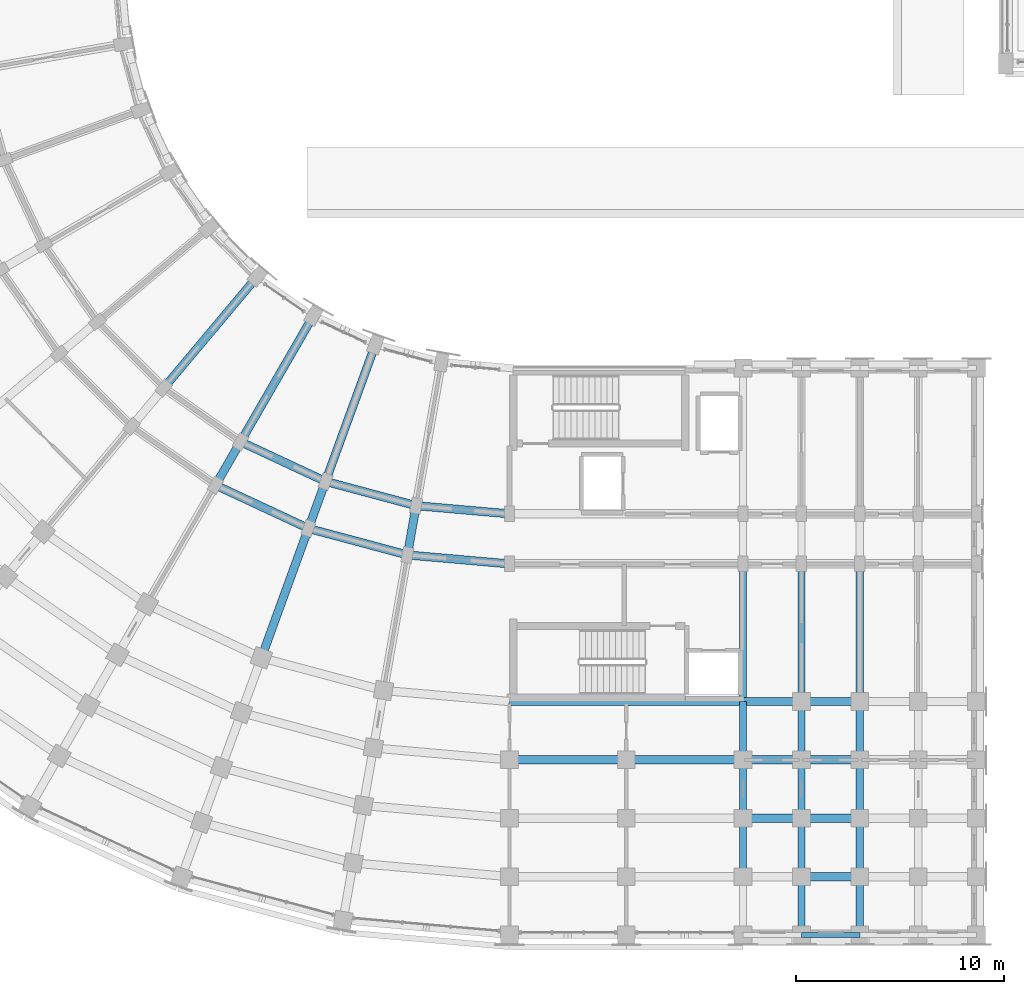
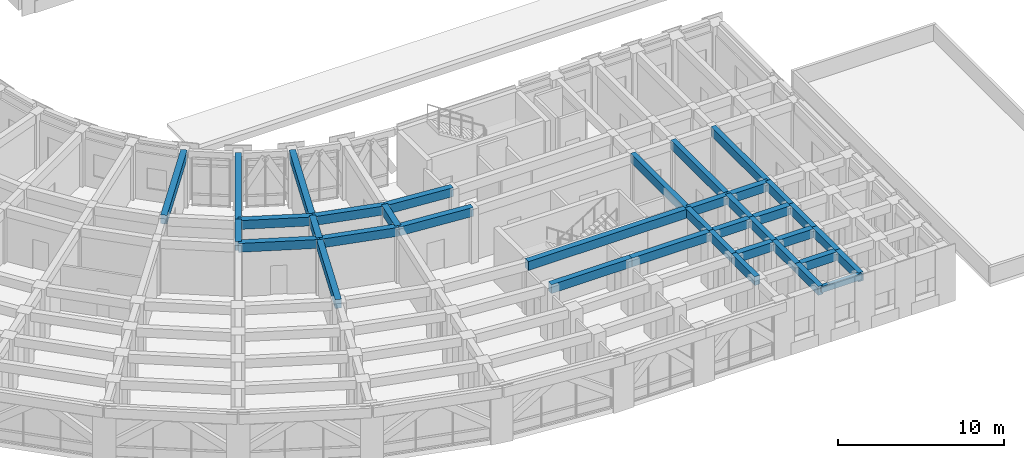
# One storey, part 9 of 97: 38 beams.
"""IFC4 building model written with IfcOpenShell, lengths in metres."""

from ifc_helpers import new_model, si_unit, direction, frame, origin, origin_2d, place, context, subcontext, project, spatial, rectangle, extrude, material, material_profile, profile_set, type_object, element, save


model = new_model("IFC4")

# Units and contexts
model_context = context("Model", 3, precision=1e-05, world=origin(), true_north=direction((0.0, 1.0)))
body_context = subcontext(model_context, "Body", "Model", "MODEL_VIEW")
ifc_project = project(units=[si_unit("LENGTHUNIT", "METRE"), si_unit("AREAUNIT", "SQUARE_METRE"), si_unit("VOLUMEUNIT", "CUBIC_METRE"), si_unit("PLANEANGLEUNIT", "RADIAN"), si_unit("MASSUNIT", "GRAM", prefix="KILO")], contexts=[model_context])

# Site, building, storey
site_placement = place(None, origin())
site = spatial("IfcSite", under=ifc_project, at=site_placement, CompositionType="ELEMENT")
building_placement = place(site_placement, origin())
building = spatial("IfcBuilding", under=site, at=building_placement, Name="Kiranvali Square Residences", CompositionType="ELEMENT")
storey_placement = place(building_placement, frame((0.0, 0.0, 4.5)))
storey = spatial("IfcBuildingStorey", under=building, at=storey_placement, Name="L01", CompositionType="ELEMENT", Elevation=4.5)

# Beams
ifc_material_1 = material(Name="Concrete M40 (40 MPa)", Category="concrete")
ifc_material_profile_1 = material_profile(ifc_material_1, rectangle(XDim=0.35009765625, YDim=0.64990234375, at=origin_2d()), Name="RC 350x650")
ifc_profile_set_1 = profile_set([ifc_material_profile_1], Name="Concrete M40 (40 MPa)")
beam_type_1 = type_object("IfcBeamType", Name="BM-M40-350x650", PredefinedType="BEAM", material=ifc_profile_set_1)
beam_1_placement = place(storey_placement, frame((59.39990234375, 20.0, 3.655029296875), z_axis=(0.0, -1.0, 0.0), x_axis=(1.0, 0.0, 0.0)))
element("IfcBeam", 1, at=beam_1_placement, inside=storey, type_object=beam_type_1, Name="L01 beam BM-C-L01-A1T1-23", PredefinedType="BEAM", context=body_context, shape_type="SweptSolid", body=[
    extrude(rectangle(XDim=0.35009765625, YDim=0.64990234375, at=origin_2d()), origin(), (0.0, 0.0, 1.0), 6.60009765625),
])
beam_2_placement = place(storey_placement, frame((59.39990234375, 13.39990234375, 3.655029296875), z_axis=(0.0, -1.0, 0.0), x_axis=(1.0, 0.0, 0.0)))
element("IfcBeam", 2, at=beam_2_placement, inside=storey, type_object=beam_type_1, Name="L01 beam BM-C-L01-A1T1-34", PredefinedType="BEAM", context=body_context, shape_type="SweptSolid", body=[
    extrude(rectangle(XDim=0.35009765625, YDim=0.64990234375, at=origin_2d()), origin(), (0.0, 0.0, 1.0), 2.7998046875),
])
for number, where, z_axis, x_axis, name in (
    (3, (59.39990234375, 10.60009765625, 3.655029296875), (0.0, -1.0, 0.0), (1.0, 0.0, 0.0), "L01 beam BM-C-L01-A1T1-45"),
    (4, (59.39990234375, 7.800048828125, 3.655029296875), (0.0, -1.0, 0.0), (1.0, 0.0, 0.0), "L01 beam BM-C-L01-A1T1-56"),
):
    element("IfcBeam", number, at=place(storey_placement, frame(where, z_axis=z_axis, x_axis=x_axis)), inside=storey, type_object=beam_type_1, Name=name, PredefinedType="BEAM", context=body_context, shape_type="SweptSolid", body=[
        extrude(rectangle(XDim=0.35009765625, YDim=0.64990234375, at=origin_2d()), origin(), (0.0, 0.0, 1.0), 2.800048828125),
    ])
beam_3_placement = place(storey_placement, frame((62.199951171875, 20.0, 3.655029296875), z_axis=(0.0, -1.0, 0.0), x_axis=(1.0, 0.0, 0.0)))
element("IfcBeam", 5, at=beam_3_placement, inside=storey, type_object=beam_type_1, Name="L01 beam BM-C-L01-A1T2-23", PredefinedType="BEAM", context=body_context, shape_type="SweptSolid", body=[
    extrude(rectangle(XDim=0.35009765625, YDim=0.64990234375, at=origin_2d()), origin(), (0.0, 0.0, 1.0), 6.60009765625),
])
beam_4_placement = place(storey_placement, frame((62.199951171875, 13.39990234375, 3.655029296875), z_axis=(0.0, -1.0, 0.0), x_axis=(1.0, 0.0, 0.0)))
element("IfcBeam", 6, at=beam_4_placement, inside=storey, type_object=beam_type_1, Name="L01 beam BM-C-L01-A1T2-34", PredefinedType="BEAM", context=body_context, shape_type="SweptSolid", body=[
    extrude(rectangle(XDim=0.35009765625, YDim=0.64990234375, at=origin_2d()), origin(), (0.0, 0.0, 1.0), 2.7998046875),
])
for number, where, z_axis, x_axis, name in (
    (7, (62.199951171875, 10.60009765625, 3.655029296875), (0.0, -1.0, 0.0), (1.0, 0.0, 0.0), "L01 beam BM-C-L01-A1T2-45"),
    (8, (62.199951171875, 7.800048828125, 3.655029296875), (0.0, -1.0, 0.0), (1.0, 0.0, 0.0), "L01 beam BM-C-L01-A1T2-56"),
    (9, (62.199951171875, 5.0, 3.655029296875), (0.0, -1.0, 0.0), (1.0, 0.0, 0.0), "L01 beam BM-C-L01-A1T2-67"),
):
    element("IfcBeam", number, at=place(storey_placement, frame(where, z_axis=z_axis, x_axis=x_axis)), inside=storey, type_object=beam_type_1, Name=name, PredefinedType="BEAM", context=body_context, shape_type="SweptSolid", body=[
        extrude(rectangle(XDim=0.35009765625, YDim=0.64990234375, at=origin_2d()), origin(), (0.0, 0.0, 1.0), 2.800048828125),
    ])
beam_5_placement = place(storey_placement, frame((65.0, 20.0, 3.655029296875), z_axis=(0.0, -1.0, 0.0), x_axis=(1.0, 0.0, 0.0)))
element("IfcBeam", 10, at=beam_5_placement, inside=storey, type_object=beam_type_1, Name="L01 beam BM-C-L01-A1T3-23", PredefinedType="BEAM", context=body_context, shape_type="SweptSolid", body=[
    extrude(rectangle(XDim=0.35009765625, YDim=0.64990234375, at=origin_2d()), origin(), (0.0, 0.0, 1.0), 6.60009765625),
])
beam_6_placement = place(storey_placement, frame((65.0, 13.39990234375, 3.655029296875), z_axis=(0.0, -1.0, 0.0), x_axis=(1.0, 0.0, 0.0)))
element("IfcBeam", 11, at=beam_6_placement, inside=storey, type_object=beam_type_1, Name="L01 beam BM-C-L01-A1T3-34", PredefinedType="BEAM", context=body_context, shape_type="SweptSolid", body=[
    extrude(rectangle(XDim=0.35009765625, YDim=0.64990234375, at=origin_2d()), origin(), (0.0, 0.0, 1.0), 2.7998046875),
])
for number, where, z_axis, x_axis, name in (
    (12, (65.0, 10.60009765625, 3.655029296875), (0.0, -1.0, 0.0), (1.0, 0.0, 0.0), "L01 beam BM-C-L01-A1T3-45"),
    (13, (65.0, 7.800048828125, 3.655029296875), (0.0, -1.0, 0.0), (1.0, 0.0, 0.0), "L01 beam BM-C-L01-A1T3-56"),
    (14, (65.0, 5.0, 3.655029296875), (0.0, -1.0, 0.0), (1.0, 0.0, 0.0), "L01 beam BM-C-L01-A1T3-67"),
):
    element("IfcBeam", number, at=place(storey_placement, frame(where, z_axis=z_axis, x_axis=x_axis)), inside=storey, type_object=beam_type_1, Name=name, PredefinedType="BEAM", context=body_context, shape_type="SweptSolid", body=[
        extrude(rectangle(XDim=0.35009765625, YDim=0.64990234375, at=origin_2d()), origin(), (0.0, 0.0, 1.0), 2.800048828125),
    ])
ifc_material_2 = material(Name="Concrete M45 (45 MPa)", Category="concrete")
ifc_material_profile_2 = material_profile(ifc_material_2, rectangle(XDim=0.39990234375, YDim=0.64990234375, at=origin_2d()), Name="RC 400x650")
ifc_profile_set_2 = profile_set([ifc_material_profile_2], Name="Concrete M45 (45 MPa)")
beam_type_2 = type_object("IfcBeamType", Name="BM-M45-400x650", PredefinedType="BEAM", material=ifc_profile_set_2)
beam_7_placement = place(storey_placement, frame((48.199951171875, 22.39990234375, 3.655029296875), z_axis=(-0.996191949488, 0.087187153726, 0.0), x_axis=(-0.087187153726, -0.996191949488, 0.0)))
element("IfcBeam", 15, at=beam_7_placement, inside=storey, type_object=beam_type_2, Name="L01 beam BM-C-L01-C00-R1", PredefinedType="BEAM", context=body_context, shape_type="SweptSolid", body=[
    extrude(rectangle(XDim=0.39990234375, YDim=0.64990234375, at=origin_2d()), origin(), (0.0, 0.0, 1.0), 4.4970703125),
])
beam_8_placement = place(storey_placement, frame((48.199951171875, 20.0, 3.655029296875), z_axis=(-0.996193663584, 0.087167566415, 0.0), x_axis=(-0.087167566415, -0.996193663584, 0.0)))
element("IfcBeam", 16, at=beam_8_placement, inside=storey, type_object=beam_type_2, Name="L01 beam BM-C-L01-C00-R2", PredefinedType="BEAM", context=body_context, shape_type="SweptSolid", body=[
    extrude(rectangle(XDim=0.39990234375, YDim=0.64990234375, at=origin_2d()), origin(), (0.0, 0.0, 1.0), 4.91552734375),
])
beam_9_placement = place(storey_placement, frame((43.719970703125, 22.7919921875, 3.655029296875), z_axis=(-0.965934240054, 0.258787642463, 0.0), x_axis=(-0.258787642463, -0.965934240054, 0.0)))
element("IfcBeam", 17, at=beam_9_placement, inside=storey, type_object=beam_type_2, Name="L01 beam BM-C-L01-C01-R1", PredefinedType="BEAM", context=body_context, shape_type="SweptSolid", body=[
    extrude(rectangle(XDim=0.39990234375, YDim=0.64990234375, at=origin_2d()), origin(), (0.0, 0.0, 1.0), 4.497314453125),
])
beam_10_placement = place(storey_placement, frame((43.30322265625, 20.428466796875, 3.655029296875), z_axis=(-0.965930095386, 0.258803112091, 0.0), x_axis=(-0.258803112091, -0.965930095386, 0.0)))
element("IfcBeam", 18, at=beam_10_placement, inside=storey, type_object=beam_type_2, Name="L01 beam BM-C-L01-C01-R2", PredefinedType="BEAM", context=body_context, shape_type="SweptSolid", body=[
    extrude(rectangle(XDim=0.39990234375, YDim=0.64990234375, at=origin_2d()), origin(), (0.0, 0.0, 1.0), 4.915771484375),
])
beam_11_placement = place(storey_placement, frame((39.3759765625, 23.955810546875, 3.655029296875), z_axis=(-0.906307919131, 0.422617978463, 0.0), x_axis=(-0.422617978463, -0.906307919131, 0.0)))
element("IfcBeam", 19, at=beam_11_placement, inside=storey, type_object=beam_type_2, Name="L01 beam BM-C-L01-C02-R1", PredefinedType="BEAM", context=body_context, shape_type="SweptSolid", body=[
    extrude(rectangle(XDim=0.39990234375, YDim=0.64990234375, at=origin_2d()), origin(), (0.0, 0.0, 1.0), 4.497314453125),
])
beam_12_placement = place(storey_placement, frame((38.554931640625, 21.70068359375, 3.655029296875), z_axis=(-0.906302381024, 0.422629854778, 0.0), x_axis=(-0.422629854778, -0.906302381024, 0.0)))
element("IfcBeam", 20, at=beam_12_placement, inside=storey, type_object=beam_type_2, Name="L01 beam BM-C-L01-C02-R2", PredefinedType="BEAM", context=body_context, shape_type="SweptSolid", body=[
    extrude(rectangle(XDim=0.39990234375, YDim=0.64990234375, at=origin_2d()), origin(), (0.0, 0.0, 1.0), 4.915283203125),
])
beam_13_placement = place(storey_placement, frame((43.719970703125, 22.7919921875, 3.655029296875), z_axis=(-0.173646056486, -0.984808127031, 0.0), x_axis=(0.984808127031, -0.173646056486, 0.0)))
element("IfcBeam", 21, at=beam_13_placement, inside=storey, type_object=beam_type_2, Name="L01 beam BM-C-L01-RAD01-12", PredefinedType="BEAM", context=body_context, shape_type="SweptSolid", body=[
    extrude(rectangle(XDim=0.39990234375, YDim=0.64990234375, at=origin_2d()), origin(), (0.0, 0.0, 1.0), 2.39990234375),
])
beam_14_placement = place(storey_placement, frame((41.77001953125, 30.53369140625, 3.655029296875), z_axis=(-0.342006283793, -0.939697665127, 0.0), x_axis=(0.939697665127, -0.342006283793, 0.0)))
element("IfcBeam", 22, at=beam_14_placement, inside=storey, type_object=beam_type_2, Name="L01 beam BM-C-L01-RAD02-01", PredefinedType="BEAM", context=body_context, shape_type="SweptSolid", body=[
    extrude(rectangle(XDim=0.39990234375, YDim=0.64990234375, at=origin_2d()), origin(), (0.0, 0.0, 1.0), 7.0),
])
beam_15_placement = place(storey_placement, frame((39.3759765625, 23.955810546875, 3.655029296875), z_axis=(-0.342110593602, -0.939659694648, 0.0), x_axis=(0.939659694648, -0.342110593602, 0.0)))
element("IfcBeam", 23, at=beam_15_placement, inside=storey, type_object=beam_type_2, Name="L01 beam BM-C-L01-RAD02-12", PredefinedType="BEAM", context=body_context, shape_type="SweptSolid", body=[
    extrude(rectangle(XDim=0.39990234375, YDim=0.64990234375, at=origin_2d()), origin(), (0.0, 0.0, 1.0), 2.39990234375),
])
beam_16_placement = place(storey_placement, frame((38.554931640625, 21.70068359375, 3.655029296875), z_axis=(-0.342022238372, -0.939691858249, 0.0), x_axis=(0.939691858249, -0.342022238372, 0.0)))
element("IfcBeam", 24, at=beam_16_placement, inside=storey, type_object=beam_type_2, Name="L01 beam BM-C-L01-RAD02-23", PredefinedType="BEAM", context=body_context, shape_type="SweptSolid", body=[
    extrude(rectangle(XDim=0.39990234375, YDim=0.64990234375, at=origin_2d()), origin(), (0.0, 0.0, 1.0), 6.599853515625),
])
beam_17_placement = place(storey_placement, frame((38.800048828125, 31.918701171875, 3.655029296875), z_axis=(-0.499995173006, -0.866028190633, 0.0), x_axis=(0.866028190633, -0.499995173006, 0.0)))
element("IfcBeam", 25, at=beam_17_placement, inside=storey, type_object=beam_type_2, Name="L01 beam BM-C-L01-RAD03-01", PredefinedType="BEAM", context=body_context, shape_type="SweptSolid", body=[
    extrude(rectangle(XDim=0.39990234375, YDim=0.64990234375, at=origin_2d()), origin(), (0.0, 0.0, 1.0), 7.0),
])
beam_18_placement = place(storey_placement, frame((35.300048828125, 25.8564453125, 3.655029296875), z_axis=(-0.500001309137, -0.866024647952, 0.0), x_axis=(0.866024647952, -0.500001309137, 0.0)))
element("IfcBeam", 26, at=beam_18_placement, inside=storey, type_object=beam_type_2, Name="L01 beam BM-C-L01-RAD03-12", PredefinedType="BEAM", context=body_context, shape_type="SweptSolid", body=[
    extrude(rectangle(XDim=0.39990234375, YDim=0.64990234375, at=origin_2d()), origin(), (0.0, 0.0, 1.0), 2.39990234375),
])
beam_19_placement = place(storey_placement, frame((36.115478515625, 33.79833984375, 3.655029296875), z_axis=(-0.642787931032, -0.766044173478, 0.0), x_axis=(0.766044173478, -0.642787931032, 0.0)))
element("IfcBeam", 27, at=beam_19_placement, inside=storey, type_object=beam_type_2, Name="L01 beam BM-C-L01-RAD04-01", PredefinedType="BEAM", context=body_context, shape_type="SweptSolid", body=[
    extrude(rectangle(XDim=0.39990234375, YDim=0.64990234375, at=origin_2d()), origin(), (0.0, 0.0, 1.0), 7.0),
])
beam_20_placement = place(storey_placement, frame((48.199951171875, 13.39990234375, 3.655029296875), z_axis=(1.0, 0.0, 0.0), x_axis=(0.0, 1.0, 0.0)))
element("IfcBeam", 28, at=beam_20_placement, inside=storey, type_object=beam_type_2, Name="L01 beam BM-C-L01-A1U0-R3", PredefinedType="BEAM", context=body_context, shape_type="SweptSolid", body=[
    extrude(rectangle(XDim=0.39990234375, YDim=0.64990234375, at=origin_2d()), origin(), (0.0, 0.0, 1.0), 11.199951171875),
])
for number, where, z_axis, x_axis, name in (
    (29, (59.39990234375, 13.39990234375, 3.655029296875), (1.0, 0.0, 0.0), (0.0, 1.0, 0.0), "L01 beam BM-C-L01-A1U1-R3"),
    (30, (62.199951171875, 13.39990234375, 3.655029296875), (1.0, 0.0, 0.0), (0.0, 1.0, 0.0), "L01 beam BM-C-L01-A1U2-R3"),
):
    element("IfcBeam", number, at=place(storey_placement, frame(where, z_axis=z_axis, x_axis=x_axis)), inside=storey, type_object=beam_type_2, Name=name, PredefinedType="BEAM", context=body_context, shape_type="SweptSolid", body=[
        extrude(rectangle(XDim=0.39990234375, YDim=0.64990234375, at=origin_2d()), origin(), (0.0, 0.0, 1.0), 2.800048828125),
    ])
beam_21_placement = place(storey_placement, frame((48.199951171875, 10.60009765625, 3.655029296875), z_axis=(1.0, 0.0, 0.0), x_axis=(0.0, 1.0, 0.0)))
element("IfcBeam", 31, at=beam_21_placement, inside=storey, type_object=beam_type_2, Name="L01 beam BM-C-L01-A1U0-R4", PredefinedType="BEAM", context=body_context, shape_type="SweptSolid", body=[
    extrude(rectangle(XDim=0.39990234375, YDim=0.64990234375, at=origin_2d()), origin(), (0.0, 0.0, 1.0), 5.60009765625),
])
beam_22_placement = place(storey_placement, frame((53.800048828125, 10.60009765625, 3.655029296875), z_axis=(1.0, 0.0, 0.0), x_axis=(0.0, 1.0, 0.0)))
element("IfcBeam", 32, at=beam_22_placement, inside=storey, type_object=beam_type_2, Name="L01 beam BM-C-L01-A1U1-R4", PredefinedType="BEAM", context=body_context, shape_type="SweptSolid", body=[
    extrude(rectangle(XDim=0.39990234375, YDim=0.64990234375, at=origin_2d()), origin(), (0.0, 0.0, 1.0), 5.599853515625),
])
for number, where, z_axis, x_axis, name in (
    (33, (59.39990234375, 10.60009765625, 3.655029296875), (1.0, 0.0, 0.0), (0.0, 1.0, 0.0), "L01 beam BM-C-L01-A1U2-R4"),
    (34, (62.199951171875, 10.60009765625, 3.655029296875), (1.0, 0.0, 0.0), (0.0, 1.0, 0.0), "L01 beam BM-C-L01-A1U3-R4"),
    (35, (59.39990234375, 7.800048828125, 3.655029296875), (1.0, 0.0, 0.0), (0.0, 1.0, 0.0), "L01 beam BM-C-L01-A1U2-R5"),
    (36, (62.199951171875, 7.800048828125, 3.655029296875), (1.0, 0.0, 0.0), (0.0, 1.0, 0.0), "L01 beam BM-C-L01-A1U3-R5"),
    (37, (62.199951171875, 5.0, 3.655029296875), (1.0, 0.0, 0.0), (0.0, 1.0, 0.0), "L01 beam BM-C-L01-A1U3-R6"),
):
    element("IfcBeam", number, at=place(storey_placement, frame(where, z_axis=z_axis, x_axis=x_axis)), inside=storey, type_object=beam_type_2, Name=name, PredefinedType="BEAM", context=body_context, shape_type="SweptSolid", body=[
        extrude(rectangle(XDim=0.39990234375, YDim=0.64990234375, at=origin_2d()), origin(), (0.0, 0.0, 1.0), 2.800048828125),
    ])
ifc_material_profile_3 = material_profile(ifc_material_1, rectangle(XDim=0.25, YDim=0.449951171875, at=origin_2d()), Name="RC 250x450")
ifc_profile_set_3 = profile_set([ifc_material_profile_3], Name="Concrete M40 (40 MPa)")
beam_type_3 = type_object("IfcBeamType", Name="SPN-M40-250x450", PredefinedType="SPANDREL", material=ifc_profile_set_3)
beam_23_placement = place(storey_placement, frame((62.199951171875, 2.199951171875, 3.7548828125), z_axis=(1.0, 0.0, 0.0), x_axis=(0.0, 1.0, 0.0)))
element("IfcBeam", 38, at=beam_23_placement, inside=storey, type_object=beam_type_3, Name="L01 beam BM-C-L01-A1U3-R7", PredefinedType="SPANDREL", context=body_context, shape_type="SweptSolid", body=[
    extrude(rectangle(XDim=0.25, YDim=0.449951171875, at=origin_2d()), origin(), (0.0, 0.0, 1.0), 2.800048828125),
])

save(model, "model.ifc")
